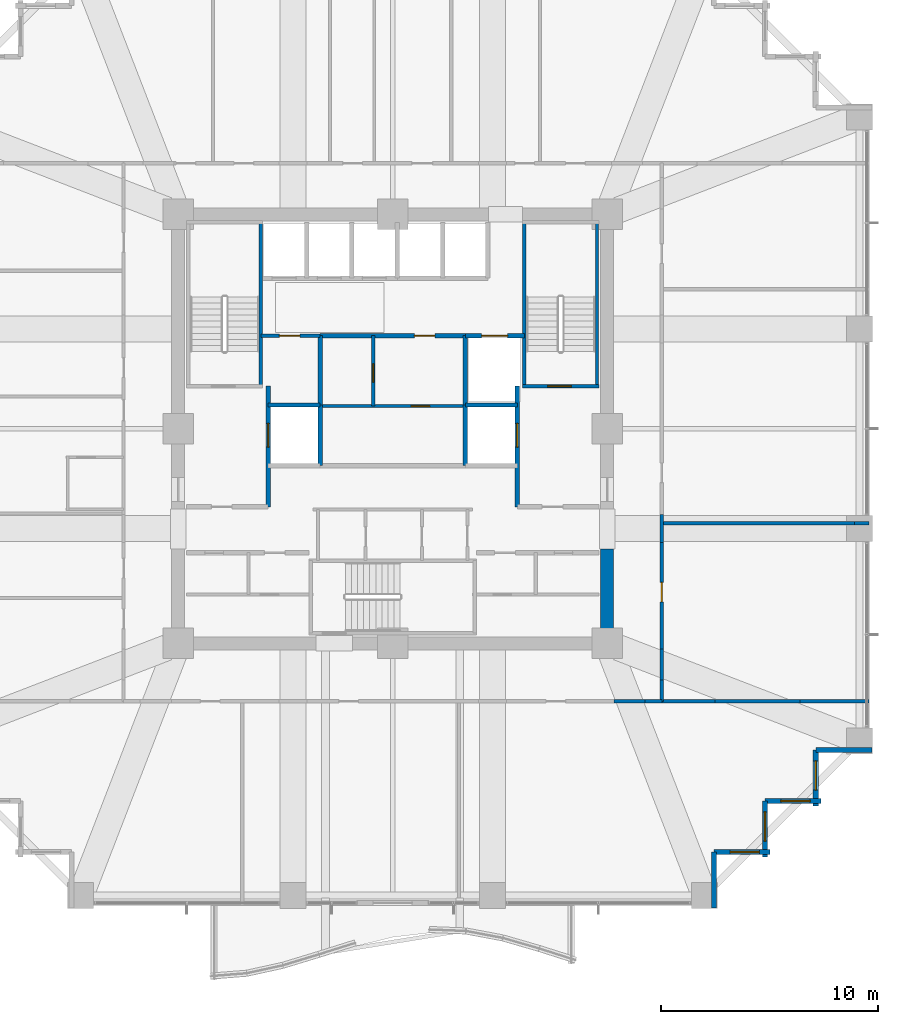
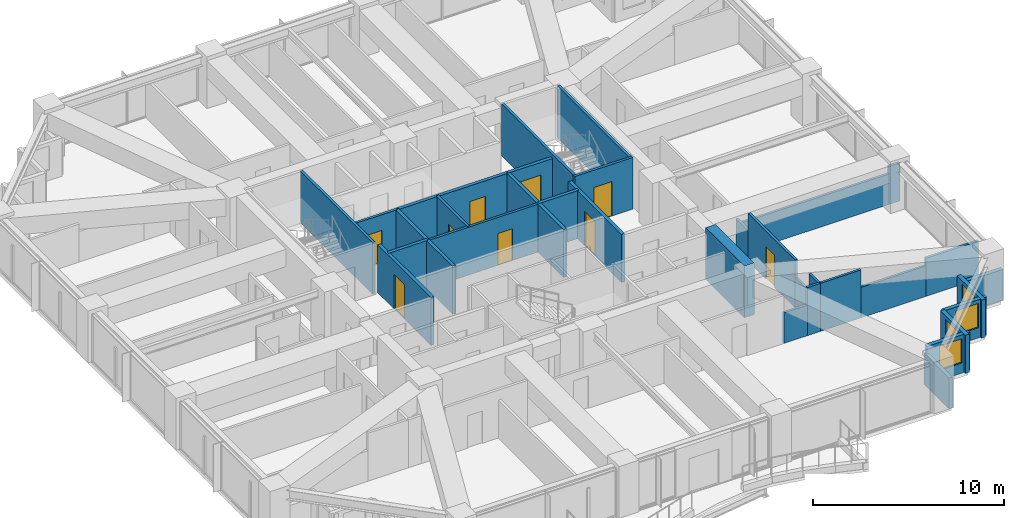
# One storey, part 34 of 37: 35 walls, 9 doors, 4 windows, 13 openings.
"""IFC4 building model written with IfcOpenShell, lengths in metres."""

from ifc_helpers import new_model, si_unit, direction, frame, frame_2d, origin, place, context, subcontext, project, spatial, rectangle, extrude, material, layer, layer_set, type_object, element, fill, save


model = new_model("IFC4")

# Units and contexts
model_context = context("Model", 3, precision=1e-05, world=origin(), true_north=direction((0.0, 1.0)))
body_context = subcontext(model_context, "Body", "Model", "MODEL_VIEW")
ifc_project = project(units=[si_unit("LENGTHUNIT", "METRE"), si_unit("AREAUNIT", "SQUARE_METRE"), si_unit("VOLUMEUNIT", "CUBIC_METRE"), si_unit("PLANEANGLEUNIT", "RADIAN"), si_unit("MASSUNIT", "GRAM", prefix="KILO")], contexts=[model_context])

# Site, building, storey
site_placement = place(None, origin())
site = spatial("IfcSite", under=ifc_project, at=site_placement, CompositionType="ELEMENT")
building_placement = place(site_placement, origin())
building = spatial("IfcBuilding", under=site, at=building_placement, Name="Kolvaren Belvedere", CompositionType="ELEMENT")
storey_placement = place(building_placement, frame((0.0, 0.0, 37.0)))
storey = spatial("IfcBuildingStorey", under=building, at=storey_placement, Name="L10", CompositionType="ELEMENT", Elevation=37.0)

# Walls
ifc_material_1 = material(Name="Concrete C60/75", Category="concrete")
ifc_layer_1 = layer(ifc_material_1, 0.60009765625)
ifc_layer_set_1 = layer_set([ifc_layer_1], Name="Concrete C60/75")
wall_type_1 = type_object("IfcWallType", Name="CW-CORE-600", PredefinedType="SHEAR", material=ifc_layer_set_1)
wall_1_placement = place(storey_placement, frame((9.89990234375, -9.60009765625, 0.0), z_axis=(0.0, 0.0, 1.0), x_axis=(0.0, 1.0, 0.0)))
element("IfcWall", 1, at=wall_1_placement, inside=storey, type_object=wall_type_1, Name="L10 East Core Shear Wall 1", PredefinedType="SHEAR", context=body_context, shape_type="SweptSolid", body=[
    extrude(rectangle(XDim=4.050048828125, YDim=0.60009765625, at=frame_2d((2.02490234375, 0.0))), origin(), (0.0, 0.0, 1.0), 3.300048828125),
])
ifc_material_2 = material(Name="Concrete C50/60", Category="concrete")
ifc_layer_2 = layer(ifc_material_2, 0.159912109375)
ifc_layer_set_2 = layer_set([ifc_layer_2], Name="Concrete C50/60")
wall_type_2 = type_object("IfcWallType", Name="CW-STAIR-160", PredefinedType="SHEAR", material=ifc_layer_set_2)
wall_2_placement = place(storey_placement, frame((-6.080078125, 1.969970703125, 0.0), z_axis=(0.0, 0.0, 1.0), x_axis=(0.0, 1.0, 0.0)))
element("IfcWall", 2, at=wall_2_placement, inside=storey, type_object=wall_type_2, Name="L10 Stair ST-1 East Shear Wall", PredefinedType="SHEAR", context=body_context, shape_type="SweptSolid", body=[
    extrude(rectangle(XDim=7.56005859375, YDim=0.159912109375, at=frame_2d((3.780029296875, 0.0))), origin(), (0.0, 0.0, 1.0), 3.300048828125),
])

# Wall, opening, door
wall_3_placement = place(storey_placement, frame((6.0, 1.969970703125, 0.0), z_axis=(0.0, 0.0, 1.0), x_axis=(1.0, 0.0, 0.0)))
wall_3 = element("IfcWall", 3, at=wall_3_placement, inside=storey, type_object=wall_type_2, Name="L10 Stair ST-2 South Shear Wall", PredefinedType="SHEAR", context=body_context, shape_type="SweptSolid", body=[
    extrude(rectangle(XDim=3.52001953125, YDim=0.159912109375, at=frame_2d((1.760009765625, 0.0))), origin(), (0.0, 0.0, 1.0), 3.300048828125),
])
opening_1_placement = place(wall_3_placement, frame((1.14990234375, 0.0, 0.0)))
opening_1 = element("IfcOpeningElement", 4, at=opening_1_placement, cuts=wall_3, Name="Opening D-FD90", PredefinedType="OPENING", context=body_context, shape_type="SweptSolid", body=[
    extrude(rectangle(XDim=1.10009765625, YDim=2.199951171875, at=frame_2d((0.550048828125, 1.10009765625))), frame((0.0, 0.08984375, 0.0), z_axis=(0.0, -1.0, 0.0), x_axis=(1.0, 0.0, 0.0)), (0.0, 0.0, 1.0), 0.179931640625),
])
ifc_material_3 = material(Name="Painted hollow stainless steel", Category="steel")
door_type_1 = type_object("IfcDoorType", Name="DR-FD90-1100", OperationType="NOTDEFINED", PredefinedType="DOOR", material=ifc_material_3)
door_1_placement = place(opening_1_placement, origin())
door_1 = element("IfcDoor", 5, at=door_1_placement, inside=storey, type_object=door_type_1, Name="L10 Stair ST-2 Fire Door", OperationType="SINGLE_SWING_RIGHT", OverallHeight=2.199951171875, OverallWidth=1.10009765625, PredefinedType="DOOR", context=body_context, shape_type="SweptSolid", body=[
    extrude(rectangle(XDim=1.10009765625, YDim=2.199951171875, at=frame_2d((0.550048828125, 1.10009765625))), frame((0.0, 0.02490234375, 0.0), z_axis=(0.0, -1.0, 0.0), x_axis=(1.0, 0.0, 0.0)), (0.0, 0.0, 1.0), 0.050048828125),
])
fill(opening_1, door_1)

# Walls
for number, where, z_axis, x_axis, name in (
    (6, (6.080078125, 1.969970703125, 0.0), (0.0, 0.0, 1.0), (0.0, 1.0, 0.0), "L10 Stair ST-2 West Shear Wall"),
    (7, (9.429931640625, 1.969970703125, 0.0), (0.0, 0.0, 1.0), (0.0, 1.0, 0.0), "L10 Stair ST-2 East Shear Wall"),
):
    element("IfcWall", number, at=place(storey_placement, frame(where, z_axis=z_axis, x_axis=x_axis)), inside=storey, type_object=wall_type_2, Name=name, PredefinedType="SHEAR", context=body_context, shape_type="SweptSolid", body=[
        extrude(rectangle(XDim=7.56005859375, YDim=0.159912109375, at=frame_2d((3.780029296875, 0.0))), origin(), (0.0, 0.0, 1.0), 3.300048828125),
    ])
ifc_material_4 = material(Name="Gypsum fire-rated partition assembly", Category="gypsum")
ifc_layer_3 = layer(ifc_material_4, 0.14990234375)
ifc_layer_set_3 = layer_set([ifc_layer_3], Name="Gypsum fire-rated partition assembly")
wall_type_3 = type_object("IfcWallType", Name="WL-CORR-150", PredefinedType="PARTITIONING", material=ifc_layer_set_3)
wall_4_placement = place(storey_placement, frame((10.215576171875, -12.580078125, 0.0), z_axis=(0.0, 0.0, 1.0), x_axis=(1.0, 0.0, 0.0)))
element("IfcWall", 8, at=wall_4_placement, inside=storey, type_object=wall_type_3, Name="L10 South Corridor Wall", PredefinedType="PARTITIONING", context=body_context, shape_type="SweptSolid", body=[
    extrude(rectangle(XDim=1.439208984375, YDim=0.14990234375, at=frame_2d((0.7197265625, 0.0))), origin(), (0.0, 0.0, 1.0), 1.945068359375),
])
wall_5_placement = place(storey_placement, frame((11.65478515625, -12.580078125, 0.0), z_axis=(0.0, 0.0, 1.0), x_axis=(1.0, 0.0, 0.0)))
element("IfcWall", 9, at=wall_5_placement, inside=storey, type_object=wall_type_3, Name="L10 South Corridor Wall", PredefinedType="PARTITIONING", context=body_context, shape_type="SweptSolid", body=[
    extrude(rectangle(XDim=0.76513671875, YDim=0.14990234375, at=frame_2d((0.382568359375, 0.0))), origin(), (0.0, 0.0, 1.0), 3.06005859375),
])
wall_6_placement = place(storey_placement, frame((12.419921875, -12.580078125, 0.0), z_axis=(0.0, 0.0, 1.0), x_axis=(0.0, 1.0, 0.0)))
element("IfcWall", 10, at=wall_6_placement, inside=storey, type_object=wall_type_3, Name="L10 East Corridor Wall", PredefinedType="PARTITIONING", context=body_context, shape_type="SweptSolid", body=[
    extrude(rectangle(XDim=0.987060546875, YDim=0.14990234375, at=frame_2d((0.49365234375, 0.0))), origin(), (0.0, 0.0, 1.0), 3.06005859375),
])
wall_7_placement = place(storey_placement, frame((12.419921875, -11.593017578125, 0.0), z_axis=(0.0, 0.0, 1.0), x_axis=(0.0, 1.0, 0.0)))
element("IfcWall", 11, at=wall_7_placement, inside=storey, type_object=wall_type_3, Name="L10 East Corridor Wall", PredefinedType="PARTITIONING", context=body_context, shape_type="SweptSolid", body=[
    extrude(rectangle(XDim=1.439208984375, YDim=0.14990234375, at=frame_2d((0.7197265625, 0.0))), origin(), (0.0, 0.0, 1.0), 1.945068359375),
])

# Wall, opening, door
wall_8_placement = place(storey_placement, frame((12.419921875, -10.15380859375, 0.0), z_axis=(0.0, 0.0, 1.0), x_axis=(0.0, 1.0, 0.0)))
wall_8 = element("IfcWall", 12, at=wall_8_placement, inside=storey, type_object=wall_type_3, Name="L10 East Corridor Wall", PredefinedType="PARTITIONING", context=body_context, shape_type="SweptSolid", body=[
    extrude(rectangle(XDim=4.911865234375, YDim=0.14990234375, at=frame_2d((2.4560546875, 0.0))), origin(), (0.0, 0.0, 1.0), 3.06005859375),
])
opening_2_placement = place(wall_8_placement, frame((2.168701171875, 0.0, 0.0)))
opening_2 = element("IfcOpeningElement", 13, at=opening_2_placement, cuts=wall_8, Name="Opening D-INT90", PredefinedType="OPENING", context=body_context, shape_type="SweptSolid", body=[
    extrude(rectangle(XDim=0.89990234375, YDim=2.06005859375, at=frame_2d((0.449951171875, 1.030029296875))), frame((0.0, 0.0849609375, 0.0), z_axis=(0.0, -1.0, 0.0), x_axis=(1.0, 0.0, 0.0)), (0.0, 0.0, 1.0), 0.169921875),
])
ifc_material_5 = material(Name="Stained Pacific white oak", Category="timber")
door_type_2 = type_object("IfcDoorType", Name="DR-INT-900", OperationType="NOTDEFINED", PredefinedType="DOOR", material=ifc_material_5)
door_2_placement = place(opening_2_placement, origin())
door_2 = element("IfcDoor", 14, at=door_2_placement, inside=storey, type_object=door_type_2, Name="L10 Private Hospitality Meeting Room 1004 Door", OperationType="SINGLE_SWING_LEFT", OverallHeight=2.06005859375, OverallWidth=0.89990234375, PredefinedType="DOOR", context=body_context, shape_type="SweptSolid", body=[
    extrude(rectangle(XDim=0.89990234375, YDim=2.06005859375, at=frame_2d((0.449951171875, 1.030029296875))), frame((0.0, 0.02490234375, 0.0), z_axis=(0.0, -1.0, 0.0), x_axis=(1.0, 0.0, 0.0)), (0.0, 0.0, 1.0), 0.050048828125),
])
fill(opening_2, door_2)

# Walls
wall_9_placement = place(storey_placement, frame((12.419921875, -5.241943359375, 0.0), z_axis=(0.0, 0.0, 1.0), x_axis=(0.0, 1.0, 0.0)))
element("IfcWall", 15, at=wall_9_placement, inside=storey, type_object=wall_type_3, Name="L10 East Corridor Wall", PredefinedType="PARTITIONING", context=body_context, shape_type="SweptSolid", body=[
    extrude(rectangle(XDim=1.283935546875, YDim=0.14990234375, at=frame_2d((0.64208984375, 0.0))), origin(), (0.0, 0.0, 1.0), 1.945068359375),
])
ifc_material_6 = material(Name="Insulated pale-metal facade wall assembly", Category="aluminium")
ifc_layer_4 = layer(ifc_material_6, 0.239990234375)
ifc_layer_set_4 = layer_set([ifc_layer_4], Name="Insulated pale-metal facade wall assembly")
wall_type_4 = type_object("IfcWallType", Name="WL-EXT-240", PredefinedType="STANDARD", material=ifc_layer_set_4)
wall_10_placement = place(storey_placement, frame((14.830078125, -19.530029296875, 0.0), z_axis=(0.0, 0.0, 1.0), x_axis=(0.0, -1.0, 0.0)))
element("IfcWall", 16, at=wall_10_placement, inside=storey, type_object=wall_type_4, Name="L10 Serrated Corner Facade Wall 2", PredefinedType="STANDARD", context=body_context, shape_type="SweptSolid", body=[
    extrude(rectangle(XDim=2.590087890625, YDim=0.239990234375, at=frame_2d((1.294921875, 0.0))), origin(), (0.0, 0.0, 1.0), 1.955078125),
])

# Wall, opening, window
wall_11_placement = place(storey_placement, frame((17.419921875, -19.530029296875, 0.0), z_axis=(0.0, 0.0, 1.0), x_axis=(-1.0, 0.0, 0.0)))
wall_11 = element("IfcWall", 17, at=wall_11_placement, inside=storey, type_object=wall_type_4, Name="L10 Serrated Corner Facade Wall 3", PredefinedType="STANDARD", context=body_context, shape_type="SweptSolid", body=[
    extrude(rectangle(XDim=2.58984375, YDim=0.239990234375, at=frame_2d((1.294921875, 0.0))), origin(), (0.0, 0.0, 1.0), 2.43896484375),
])
opening_3_placement = place(wall_11_placement, frame((0.5, 0.0, 0.64990234375)))
opening_3 = element("IfcOpeningElement", 18, at=opening_3_placement, cuts=wall_11, Name="Opening W-1350", PredefinedType="OPENING", context=body_context, shape_type="SweptSolid", body=[
    extrude(rectangle(XDim=1.35009765625, YDim=1.550048828125, at=frame_2d((0.675048828125, 0.77490234375))), frame((0.0, 0.1298828125, 0.0), z_axis=(0.0, -1.0, 0.0), x_axis=(1.0, 0.0, 0.0)), (0.0, 0.0, 1.0), 0.260009765625),
])
ifc_material_7 = material(Name="Low-iron triple insulated glass", Category="glass")
window_type = type_object("IfcWindowType", Name="WN-CORN-1350", PartitioningType="SINGLE_PANEL", PredefinedType="WINDOW", material=ifc_material_7)
window_1_placement = place(opening_3_placement, origin())
window_1 = element("IfcWindow", 19, at=window_1_placement, inside=storey, type_object=window_type, Name="L10 Serrated Corner Vision Window 3", OverallHeight=1.550048828125, OverallWidth=1.35009765625, PartitioningType="SINGLE_PANEL", PredefinedType="WINDOW", context=body_context, shape_type="SweptSolid", body=[
    extrude(rectangle(XDim=1.35009765625, YDim=1.550048828125, at=frame_2d((0.675048828125, 0.77490234375))), frame((0.0, 0.030029296875, 0.0), z_axis=(0.0, -1.0, 0.0), x_axis=(1.0, 0.0, 0.0)), (0.0, 0.0, 1.0), 0.06005859375),
])
fill(opening_3, window_1)

wall_12_placement = place(storey_placement, frame((17.179931640625, -17.179931640625, 0.0), z_axis=(0.0, 0.0, 1.0), x_axis=(0.0, -1.0, 0.0)))
wall_12 = element("IfcWall", 20, at=wall_12_placement, inside=storey, type_object=wall_type_4, Name="L10 Serrated Corner Facade Wall 4", PredefinedType="STANDARD", context=body_context, shape_type="SweptSolid", body=[
    extrude(rectangle(XDim=2.590087890625, YDim=0.239990234375, at=frame_2d((1.294921875, 0.0))), origin(), (0.0, 0.0, 1.0), 2.43896484375),
])
opening_4_placement = place(wall_12_placement, frame((0.5, 0.0, 0.64990234375)))
opening_4 = element("IfcOpeningElement", 21, at=opening_4_placement, cuts=wall_12, Name="Opening W-1350", PredefinedType="OPENING", context=body_context, shape_type="SweptSolid", body=[
    extrude(rectangle(XDim=1.35009765625, YDim=1.550048828125, at=frame_2d((0.675048828125, 0.77490234375))), frame((0.0, 0.1298828125, 0.0), z_axis=(0.0, -1.0, 0.0), x_axis=(1.0, 0.0, 0.0)), (0.0, 0.0, 1.0), 0.260009765625),
])
window_2_placement = place(opening_4_placement, origin())
window_2 = element("IfcWindow", 22, at=window_2_placement, inside=storey, type_object=window_type, Name="L10 Serrated Corner Vision Window 4", OverallHeight=1.550048828125, OverallWidth=1.35009765625, PartitioningType="SINGLE_PANEL", PredefinedType="WINDOW", context=body_context, shape_type="SweptSolid", body=[
    extrude(rectangle(XDim=1.35009765625, YDim=1.550048828125, at=frame_2d((0.675048828125, 0.77490234375))), frame((0.0, 0.030029296875, 0.0), z_axis=(0.0, -1.0, 0.0), x_axis=(1.0, 0.0, 0.0)), (0.0, 0.0, 1.0), 0.06005859375),
])
fill(opening_4, window_2)

wall_13_placement = place(storey_placement, frame((19.77001953125, -17.179931640625, 0.0), z_axis=(0.0, 0.0, 1.0), x_axis=(-1.0, 0.0, 0.0)))
wall_13 = element("IfcWall", 23, at=wall_13_placement, inside=storey, type_object=wall_type_4, Name="L10 Serrated Corner Facade Wall 5", PredefinedType="STANDARD", context=body_context, shape_type="SweptSolid", body=[
    extrude(rectangle(XDim=2.590087890625, YDim=0.239990234375, at=frame_2d((1.294921875, 0.0))), origin(), (0.0, 0.0, 1.0), 2.43896484375),
])
opening_5_placement = place(wall_13_placement, frame((0.5, 0.0, 0.64990234375)))
opening_5 = element("IfcOpeningElement", 24, at=opening_5_placement, cuts=wall_13, Name="Opening W-1350", PredefinedType="OPENING", context=body_context, shape_type="SweptSolid", body=[
    extrude(rectangle(XDim=1.35009765625, YDim=1.550048828125, at=frame_2d((0.675048828125, 0.77490234375))), frame((0.0, 0.1298828125, 0.0), z_axis=(0.0, -1.0, 0.0), x_axis=(1.0, 0.0, 0.0)), (0.0, 0.0, 1.0), 0.260009765625),
])
window_3_placement = place(opening_5_placement, origin())
window_3 = element("IfcWindow", 25, at=window_3_placement, inside=storey, type_object=window_type, Name="L10 Serrated Corner Vision Window 5", OverallHeight=1.550048828125, OverallWidth=1.35009765625, PartitioningType="SINGLE_PANEL", PredefinedType="WINDOW", context=body_context, shape_type="SweptSolid", body=[
    extrude(rectangle(XDim=1.35009765625, YDim=1.550048828125, at=frame_2d((0.675048828125, 0.77490234375))), frame((0.0, 0.030029296875, 0.0), z_axis=(0.0, -1.0, 0.0), x_axis=(1.0, 0.0, 0.0)), (0.0, 0.0, 1.0), 0.06005859375),
])
fill(opening_5, window_3)

wall_14_placement = place(storey_placement, frame((19.530029296875, -14.830078125, 0.0), z_axis=(0.0, 0.0, 1.0), x_axis=(0.0, -1.0, 0.0)))
wall_14 = element("IfcWall", 26, at=wall_14_placement, inside=storey, type_object=wall_type_4, Name="L10 Serrated Corner Facade Wall 6", PredefinedType="STANDARD", context=body_context, shape_type="SweptSolid", body=[
    extrude(rectangle(XDim=2.58984375, YDim=0.239990234375, at=frame_2d((1.294921875, 0.0))), origin(), (0.0, 0.0, 1.0), 2.43896484375),
])
opening_6_placement = place(wall_14_placement, frame((0.5, 0.0, 0.64990234375)))
opening_6 = element("IfcOpeningElement", 27, at=opening_6_placement, cuts=wall_14, Name="Opening W-1350", PredefinedType="OPENING", context=body_context, shape_type="SweptSolid", body=[
    extrude(rectangle(XDim=1.35009765625, YDim=1.550048828125, at=frame_2d((0.675048828125, 0.77490234375))), frame((0.0, 0.1298828125, 0.0), z_axis=(0.0, -1.0, 0.0), x_axis=(1.0, 0.0, 0.0)), (0.0, 0.0, 1.0), 0.260009765625),
])
window_4_placement = place(opening_6_placement, origin())
window_4 = element("IfcWindow", 28, at=window_4_placement, inside=storey, type_object=window_type, Name="L10 Serrated Corner Vision Window 6", OverallHeight=1.550048828125, OverallWidth=1.35009765625, PartitioningType="SINGLE_PANEL", PredefinedType="WINDOW", context=body_context, shape_type="SweptSolid", body=[
    extrude(rectangle(XDim=1.35009765625, YDim=1.550048828125, at=frame_2d((0.675048828125, 0.77490234375))), frame((0.0, 0.030029296875, 0.0), z_axis=(0.0, -1.0, 0.0), x_axis=(1.0, 0.0, 0.0)), (0.0, 0.0, 1.0), 0.06005859375),
])
fill(opening_6, window_4)

# Wall
wall_15_placement = place(storey_placement, frame((22.1201171875, -14.830078125, 0.0), z_axis=(0.0, 0.0, 1.0), x_axis=(-1.0, 0.0, 0.0)))
element("IfcWall", 29, at=wall_15_placement, inside=storey, type_object=wall_type_4, Name="L10 Serrated Corner Facade Wall 7", PredefinedType="STANDARD", context=body_context, shape_type="SweptSolid", body=[
    extrude(rectangle(XDim=2.590087890625, YDim=0.239990234375, at=frame_2d((1.294921875, 0.0))), origin(), (0.0, 0.0, 1.0), 1.955078125),
])

# Wall, opening, door
ifc_material_8 = material(Name="Gypsum acoustic partition assembly", Category="gypsum")
ifc_layer_5 = layer(ifc_material_8, 0.14990234375)
ifc_layer_set_5 = layer_set([ifc_layer_5], Name="Gypsum acoustic partition assembly")
wall_type_5 = type_object("IfcWallType", Name="WL-PART-150", PredefinedType="PARTITIONING", material=ifc_layer_set_5)
wall_16_placement = place(storey_placement, frame((-3.35009765625, 1.050048828125, 0.0), z_axis=(0.0, 0.0, 1.0), x_axis=(1.0, 0.0, 0.0)))
wall_16 = element("IfcWall", 30, at=wall_16_placement, inside=storey, type_object=wall_type_5, Name="L10 Central Core H-Divider", PredefinedType="PARTITIONING", context=body_context, shape_type="SweptSolid", body=[
    extrude(rectangle(XDim=6.7001953125, YDim=0.14990234375, at=frame_2d((3.35009765625, 0.0))), origin(), (0.0, 0.0, 1.0), 3.06005859375),
])
opening_7_placement = place(wall_16_placement, frame((4.199951171875, 0.0, 0.0)))
opening_7 = element("IfcOpeningElement", 31, at=opening_7_placement, cuts=wall_16, Name="Opening D-INT85", PredefinedType="OPENING", context=body_context, shape_type="SweptSolid", body=[
    extrude(rectangle(XDim=0.85009765625, YDim=2.030029296875, at=frame_2d((0.425048828125, 1.01513671875))), frame((0.0, 0.0849609375, 0.0), z_axis=(0.0, -1.0, 0.0), x_axis=(1.0, 0.0, 0.0)), (0.0, 0.0, 1.0), 0.169921875),
])
ifc_material_9 = material(Name="Stained Pacific white oak", Category="timber")
door_type_3 = type_object("IfcDoorType", Name="DR-INT-850", OperationType="NOTDEFINED", PredefinedType="DOOR", material=ifc_material_9)
door_3_placement = place(opening_7_placement, origin())
door_3 = element("IfcDoor", 32, at=door_3_placement, inside=storey, type_object=door_type_3, Name="L10 Central Metering Door", OperationType="SINGLE_SWING_LEFT", OverallHeight=2.030029296875, OverallWidth=0.85009765625, PredefinedType="DOOR", context=body_context, shape_type="SweptSolid", body=[
    extrude(rectangle(XDim=0.85009765625, YDim=2.030029296875, at=frame_2d((0.425048828125, 1.01513671875))), frame((0.0, 0.02490234375, 0.0), z_axis=(0.0, -1.0, 0.0), x_axis=(1.0, 0.0, 0.0)), (0.0, 0.0, 1.0), 0.050048828125),
])
fill(opening_7, door_3)

wall_17_placement = place(storey_placement, frame((-0.89990234375, 1.050048828125, 0.0), z_axis=(0.0, 0.0, 1.0), x_axis=(0.0, 1.0, 0.0)))
wall_17 = element("IfcWall", 33, at=wall_17_placement, inside=storey, type_object=wall_type_5, Name="L10 Central Core V-Divider", PredefinedType="PARTITIONING", context=body_context, shape_type="SweptSolid", body=[
    extrude(rectangle(XDim=3.25, YDim=0.14990234375, at=frame_2d((1.625, 0.0))), origin(), (0.0, 0.0, 1.0), 3.06005859375),
])
opening_8_placement = place(wall_17_placement, frame((1.10009765625, 0.0, 0.0)))
opening_8 = element("IfcOpeningElement", 34, at=opening_8_placement, cuts=wall_17, Name="Opening D-INT85", PredefinedType="OPENING", context=body_context, shape_type="SweptSolid", body=[
    extrude(rectangle(XDim=0.85009765625, YDim=2.030029296875, at=frame_2d((0.425048828125, 1.01513671875))), frame((0.0, 0.0849609375, 0.0), z_axis=(0.0, -1.0, 0.0), x_axis=(1.0, 0.0, 0.0)), (0.0, 0.0, 1.0), 0.169921875),
])
door_4_placement = place(opening_8_placement, origin())
door_4 = element("IfcDoor", 35, at=door_4_placement, inside=storey, type_object=door_type_3, Name="L10 Central Telecom Door", OperationType="SINGLE_SWING_RIGHT", OverallHeight=2.030029296875, OverallWidth=0.85009765625, PredefinedType="DOOR", context=body_context, shape_type="SweptSolid", body=[
    extrude(rectangle(XDim=0.85009765625, YDim=2.030029296875, at=frame_2d((0.425048828125, 1.01513671875))), frame((0.0, 0.02490234375, 0.0), z_axis=(0.0, -1.0, 0.0), x_axis=(1.0, 0.0, 0.0)), (0.0, 0.0, 1.0), 0.050048828125),
])
fill(opening_8, door_4)

wall_18_placement = place(storey_placement, frame((-6.080078125, 4.300048828125, 0.0), z_axis=(0.0, 0.0, 1.0), x_axis=(1.0, 0.0, 0.0)))
wall_18 = element("IfcWall", 36, at=wall_18_placement, inside=storey, type_object=wall_type_5, Name="L10 NW Service Room North Wall", PredefinedType="PARTITIONING", context=body_context, shape_type="SweptSolid", body=[
    extrude(rectangle(XDim=2.72998046875, YDim=0.14990234375, at=frame_2d((1.364990234375, 0.0))), origin(), (0.0, 0.0, 1.0), 3.06005859375),
])
opening_9_placement = place(wall_18_placement, frame((0.85009765625, 0.0, 0.0)))
opening_9 = element("IfcOpeningElement", 37, at=opening_9_placement, cuts=wall_18, Name="Opening D-FD60", PredefinedType="OPENING", context=body_context, shape_type="SweptSolid", body=[
    extrude(rectangle(XDim=0.949951171875, YDim=2.06005859375, at=frame_2d((0.47509765625, 1.030029296875))), frame((0.0, 0.0849609375, 0.0), z_axis=(0.0, -1.0, 0.0), x_axis=(1.0, 0.0, 0.0)), (0.0, 0.0, 1.0), 0.169921875),
])
ifc_material_10 = material(Name="Acoustic white-oak fire door leaf", Category="timber")
door_type_4 = type_object("IfcDoorType", Name="DR-FD60-950", OperationType="NOTDEFINED", PredefinedType="DOOR", material=ifc_material_10)
door_5_placement = place(opening_9_placement, origin())
door_5 = element("IfcDoor", 38, at=door_5_placement, inside=storey, type_object=door_type_4, Name="L10 NW Core Store Door", OperationType="SINGLE_SWING_RIGHT", OverallHeight=2.06005859375, OverallWidth=0.949951171875, PredefinedType="DOOR", context=body_context, shape_type="SweptSolid", body=[
    extrude(rectangle(XDim=0.949951171875, YDim=2.06005859375, at=frame_2d((0.47509765625, 1.030029296875))), frame((0.0, 0.02490234375, 0.0), z_axis=(0.0, -1.0, 0.0), x_axis=(1.0, 0.0, 0.0)), (0.0, 0.0, 1.0), 0.050048828125),
])
fill(opening_9, door_5)

# Walls
wall_19_placement = place(storey_placement, frame((12.419921875, -12.580078125, 0.0), z_axis=(0.0, 0.0, 1.0), x_axis=(1.0, 0.0, 0.0)))
element("IfcWall", 39, at=wall_19_placement, inside=storey, type_object=wall_type_5, Name="L10 Wing Divider PW-L10-QSE", PredefinedType="PARTITIONING", context=body_context, shape_type="SweptSolid", body=[
    extrude(rectangle(XDim=2.464599609375, YDim=0.14990234375, at=frame_2d((1.232421875, 0.0))), origin(), (0.0, 0.0, 1.0), 3.06005859375),
])
wall_20_placement = place(storey_placement, frame((14.884521484375, -12.580078125, 0.0), z_axis=(0.0, 0.0, 1.0), x_axis=(1.0, 0.0, 0.0)))
element("IfcWall", 40, at=wall_20_placement, inside=storey, type_object=wall_type_5, Name="L10 Wing Divider PW-L10-QSE", PredefinedType="PARTITIONING", context=body_context, shape_type="SweptSolid", body=[
    extrude(rectangle(XDim=3.907470703125, YDim=0.14990234375, at=frame_2d((1.95361328125, 0.0))), origin(), (0.0, 0.0, 1.0), 1.945068359375),
])
wall_21_placement = place(storey_placement, frame((18.7919921875, -12.580078125, 0.0), z_axis=(0.0, 0.0, 1.0), x_axis=(1.0, 0.0, 0.0)))
element("IfcWall", 41, at=wall_21_placement, inside=storey, type_object=wall_type_5, Name="L10 Wing Divider PW-L10-QSE", PredefinedType="PARTITIONING", context=body_context, shape_type="SweptSolid", body=[
    extrude(rectangle(XDim=3.18798828125, YDim=0.14990234375, at=frame_2d((1.593994140625, 0.0))), origin(), (0.0, 0.0, 1.0), 2.428955078125),
])
wall_22_placement = place(storey_placement, frame((12.419921875, -4.360107421875, 0.0), z_axis=(0.0, 0.0, 1.0), x_axis=(1.0, 0.0, 0.0)))
element("IfcWall", 42, at=wall_22_placement, inside=storey, type_object=wall_type_5, Name="L10 East Suite Demising Wall 1", PredefinedType="PARTITIONING", context=body_context, shape_type="SweptSolid", body=[
    extrude(rectangle(XDim=8.89013671875, YDim=0.14990234375, at=frame_2d((4.445068359375, 0.0))), origin(), (0.0, 0.0, 1.0), 1.945068359375),
])
wall_23_placement = place(storey_placement, frame((21.31005859375, -4.360107421875, 0.0), z_axis=(0.0, 0.0, 1.0), x_axis=(1.0, 0.0, 0.0)))
element("IfcWall", 43, at=wall_23_placement, inside=storey, type_object=wall_type_5, Name="L10 East Suite Demising Wall 1", PredefinedType="PARTITIONING", context=body_context, shape_type="SweptSolid", body=[
    extrude(rectangle(XDim=0.669921875, YDim=0.14990234375, at=frame_2d((0.3349609375, 0.0))), origin(), (0.0, 0.0, 1.0), 2.428955078125),
])

# Wall, opening, door
ifc_material_11 = material(Name="Concrete C50/60", Category="concrete")
ifc_layer_6 = layer(ifc_material_11, 0.199951171875)
ifc_layer_set_6 = layer_set([ifc_layer_6], Name="Concrete C50/60")
wall_type_6 = type_object("IfcWallType", Name="WL-SHAFT-200", PredefinedType="SOLIDWALL", material=ifc_layer_set_6)
wall_24_placement = place(storey_placement, frame((-5.75, -3.60009765625, 0.0), z_axis=(0.0, 0.0, 1.0), x_axis=(0.0, 1.0, 0.0)))
wall_24 = element("IfcWall", 44, at=wall_24_placement, inside=storey, type_object=wall_type_6, Name="L10 FSAE FS1 Landing Wall", PredefinedType="SOLIDWALL", context=body_context, shape_type="SweptSolid", body=[
    extrude(rectangle(XDim=5.570068359375, YDim=0.199951171875, at=frame_2d((2.78515625, 0.0))), origin(), (0.0, 0.0, 1.0), 3.06005859375),
])
opening_10_placement = place(wall_24_placement, frame((2.75, 0.0, 0.0)))
opening_10 = element("IfcOpeningElement", 45, at=opening_10_placement, cuts=wall_24, Name="Opening LD-11", PredefinedType="OPENING", context=body_context, shape_type="SweptSolid", body=[
    extrude(rectangle(XDim=1.10009765625, YDim=2.199951171875, at=frame_2d((0.550048828125, 1.10009765625))), frame((0.0, 0.10986328125, 0.0), z_axis=(0.0, -1.0, 0.0), x_axis=(1.0, 0.0, 0.0)), (0.0, 0.0, 1.0), 0.219970703125),
])
ifc_material_12 = material(Name="Brushed stainless steel", Category="steel")
door_type_5 = type_object("IfcDoorType", Name="DR-LIFT-1100", OperationType="DOUBLE_DOOR_SLIDING", PredefinedType="DOOR", material=ifc_material_12)
door_6_placement = place(opening_10_placement, origin())
door_6 = element("IfcDoor", 46, at=door_6_placement, inside=storey, type_object=door_type_5, Name="L10 Firefighting Lift FS1 Landing Door", OperationType="DOUBLE_DOOR_SLIDING", OverallHeight=2.199951171875, OverallWidth=1.10009765625, PredefinedType="DOOR", context=body_context, shape_type="SweptSolid", body=[
    extrude(rectangle(XDim=1.10009765625, YDim=2.199951171875, at=frame_2d((0.550048828125, 1.10009765625))), frame((0.0, 0.02490234375, 0.0), z_axis=(0.0, -1.0, 0.0), x_axis=(1.0, 0.0, 0.0)), (0.0, 0.0, 1.0), 0.050048828125),
])
fill(opening_10, door_6)

# Walls
wall_25_placement = place(storey_placement, frame((-3.35009765625, -1.699951171875, 0.0), z_axis=(0.0, 0.0, 1.0), x_axis=(0.0, 1.0, 0.0)))
element("IfcWall", 47, at=wall_25_placement, inside=storey, type_object=wall_type_6, Name="L10 FSAE FS1 Back Wall", PredefinedType="SOLIDWALL", context=body_context, shape_type="SweptSolid", body=[
    extrude(rectangle(XDim=2.800048828125, YDim=0.199951171875, at=frame_2d((1.39990234375, 0.0))), origin(), (0.0, 0.0, 1.0), 3.06005859375),
])
wall_26_placement = place(storey_placement, frame((-5.75, 1.10009765625, 0.0), z_axis=(0.0, 0.0, 1.0), x_axis=(1.0, 0.0, 0.0)))
element("IfcWall", 48, at=wall_26_placement, inside=storey, type_object=wall_type_6, Name="L10 FSAE FS1 North Wall", PredefinedType="SOLIDWALL", context=body_context, shape_type="SweptSolid", body=[
    extrude(rectangle(XDim=2.39990234375, YDim=0.199951171875, at=frame_2d((1.199951171875, 0.0))), origin(), (0.0, 0.0, 1.0), 3.06005859375),
])

# Wall, opening, door
wall_27_placement = place(storey_placement, frame((5.75, -3.60009765625, 0.0), z_axis=(0.0, 0.0, 1.0), x_axis=(0.0, 1.0, 0.0)))
wall_27 = element("IfcWall", 49, at=wall_27_placement, inside=storey, type_object=wall_type_6, Name="L10 FSAE FS2 Landing Wall", PredefinedType="SOLIDWALL", context=body_context, shape_type="SweptSolid", body=[
    extrude(rectangle(XDim=5.570068359375, YDim=0.199951171875, at=frame_2d((2.78515625, 0.0))), origin(), (0.0, 0.0, 1.0), 3.06005859375),
])
opening_11_placement = place(wall_27_placement, frame((2.75, 0.0, 0.0)))
opening_11 = element("IfcOpeningElement", 50, at=opening_11_placement, cuts=wall_27, Name="Opening LD-11", PredefinedType="OPENING", context=body_context, shape_type="SweptSolid", body=[
    extrude(rectangle(XDim=1.10009765625, YDim=2.199951171875, at=frame_2d((0.550048828125, 1.10009765625))), frame((0.0, 0.10986328125, 0.0), z_axis=(0.0, -1.0, 0.0), x_axis=(1.0, 0.0, 0.0)), (0.0, 0.0, 1.0), 0.219970703125),
])
door_7_placement = place(opening_11_placement, origin())
door_7 = element("IfcDoor", 51, at=door_7_placement, inside=storey, type_object=door_type_5, Name="L10 Firefighting Lift FS2 Landing Door", OperationType="DOUBLE_DOOR_SLIDING", OverallHeight=2.199951171875, OverallWidth=1.10009765625, PredefinedType="DOOR", context=body_context, shape_type="SweptSolid", body=[
    extrude(rectangle(XDim=1.10009765625, YDim=2.199951171875, at=frame_2d((0.550048828125, 1.10009765625))), frame((0.0, 0.02490234375, 0.0), z_axis=(0.0, -1.0, 0.0), x_axis=(1.0, 0.0, 0.0)), (0.0, 0.0, 1.0), 0.050048828125),
])
fill(opening_11, door_7)

# Walls
wall_28_placement = place(storey_placement, frame((3.35009765625, -1.699951171875, 0.0), z_axis=(0.0, 0.0, 1.0), x_axis=(0.0, 1.0, 0.0)))
element("IfcWall", 52, at=wall_28_placement, inside=storey, type_object=wall_type_6, Name="L10 FSAE FS2 Back Wall", PredefinedType="SOLIDWALL", context=body_context, shape_type="SweptSolid", body=[
    extrude(rectangle(XDim=2.800048828125, YDim=0.199951171875, at=frame_2d((1.39990234375, 0.0))), origin(), (0.0, 0.0, 1.0), 3.06005859375),
])
wall_29_placement = place(storey_placement, frame((3.35009765625, 1.10009765625, 0.0), z_axis=(0.0, 0.0, 1.0), x_axis=(1.0, 0.0, 0.0)))
element("IfcWall", 53, at=wall_29_placement, inside=storey, type_object=wall_type_6, Name="L10 FSAE FS2 North Wall", PredefinedType="SOLIDWALL", context=body_context, shape_type="SweptSolid", body=[
    extrude(rectangle(XDim=2.39990234375, YDim=0.199951171875, at=frame_2d((1.199951171875, 0.0))), origin(), (0.0, 0.0, 1.0), 3.06005859375),
])

# Wall, opening, door
wall_30_placement = place(storey_placement, frame((3.35009765625, 4.300048828125, 0.0), z_axis=(0.0, 0.0, 1.0), x_axis=(1.0, 0.0, 0.0)))
wall_30 = element("IfcWall", 54, at=wall_30_placement, inside=storey, type_object=wall_type_6, Name="L10 Service Lift SV1 Front Wall", PredefinedType="SOLIDWALL", context=body_context, shape_type="SweptSolid", body=[
    extrude(rectangle(XDim=2.72998046875, YDim=0.199951171875, at=frame_2d((1.364990234375, 0.0))), origin(), (0.0, 0.0, 1.0), 3.06005859375),
])
opening_12_placement = place(wall_30_placement, frame((0.75, 0.0, 0.0)))
opening_12 = element("IfcOpeningElement", 55, at=opening_12_placement, cuts=wall_30, Name="Opening LD-12", PredefinedType="OPENING", context=body_context, shape_type="SweptSolid", body=[
    extrude(rectangle(XDim=1.199951171875, YDim=2.25, at=frame_2d((0.60009765625, 1.125))), frame((0.0, 0.10986328125, 0.0), z_axis=(0.0, -1.0, 0.0), x_axis=(1.0, 0.0, 0.0)), (0.0, 0.0, 1.0), 0.219970703125),
])
ifc_material_13 = material(Name="Brushed stainless steel", Category="steel")
door_type_6 = type_object("IfcDoorType", Name="DR-LIFT-1200", OperationType="DOUBLE_DOOR_SLIDING", PredefinedType="DOOR", material=ifc_material_13)
door_8_placement = place(opening_12_placement, origin())
door_8 = element("IfcDoor", 56, at=door_8_placement, inside=storey, type_object=door_type_6, Name="L10 Service Lift SV1 Landing Door", OperationType="DOUBLE_DOOR_SLIDING", OverallHeight=2.25, OverallWidth=1.199951171875, PredefinedType="DOOR", context=body_context, shape_type="SweptSolid", body=[
    extrude(rectangle(XDim=1.199951171875, YDim=2.25, at=frame_2d((0.60009765625, 1.125))), frame((0.0, 0.02490234375, 0.0), z_axis=(0.0, -1.0, 0.0), x_axis=(1.0, 0.0, 0.0)), (0.0, 0.0, 1.0), 0.050048828125),
])
fill(opening_12, door_8)

wall_31_placement = place(storey_placement, frame((-3.35009765625, 4.300048828125, 0.0), z_axis=(0.0, 0.0, 1.0), x_axis=(1.0, 0.0, 0.0)))
wall_31 = element("IfcWall", 57, at=wall_31_placement, inside=storey, type_object=wall_type_6, Name="L10 Central Core Room North Wall", PredefinedType="SOLIDWALL", context=body_context, shape_type="SweptSolid", body=[
    extrude(rectangle(XDim=6.7001953125, YDim=0.199951171875, at=frame_2d((3.35009765625, 0.0))), origin(), (0.0, 0.0, 1.0), 3.06005859375),
])
opening_13_placement = place(wall_31_placement, frame((4.35009765625, 0.0, 0.0)))
opening_13 = element("IfcOpeningElement", 58, at=opening_13_placement, cuts=wall_31, Name="Opening D-FD60", PredefinedType="OPENING", context=body_context, shape_type="SweptSolid", body=[
    extrude(rectangle(XDim=0.949951171875, YDim=2.06005859375, at=frame_2d((0.47509765625, 1.030029296875))), frame((0.0, 0.10986328125, 0.0), z_axis=(0.0, -1.0, 0.0), x_axis=(1.0, 0.0, 0.0)), (0.0, 0.0, 1.0), 0.219970703125),
])
door_9_placement = place(opening_13_placement, origin())
door_9 = element("IfcDoor", 59, at=door_9_placement, inside=storey, type_object=door_type_4, Name="L10 Central Core Controls Door", OperationType="SINGLE_SWING_LEFT", OverallHeight=2.06005859375, OverallWidth=0.949951171875, PredefinedType="DOOR", context=body_context, shape_type="SweptSolid", body=[
    extrude(rectangle(XDim=0.949951171875, YDim=2.06005859375, at=frame_2d((0.47509765625, 1.030029296875))), frame((0.0, 0.02490234375, 0.0), z_axis=(0.0, -1.0, 0.0), x_axis=(1.0, 0.0, 0.0)), (0.0, 0.0, 1.0), 0.050048828125),
])
fill(opening_13, door_9)

# Walls
for number, where, z_axis, x_axis, name in (
    (60, (-3.35009765625, 1.10009765625, 0.0), (0.0, 0.0, 1.0), (0.0, 1.0, 0.0), "L10 Central Core Room West Wall"),
    (61, (3.35009765625, 1.10009765625, 0.0), (0.0, 0.0, 1.0), (0.0, 1.0, 0.0), "L10 Central Core Room East Wall"),
):
    element("IfcWall", number, at=place(storey_placement, frame(where, z_axis=z_axis, x_axis=x_axis)), inside=storey, type_object=wall_type_6, Name=name, PredefinedType="SOLIDWALL", context=body_context, shape_type="SweptSolid", body=[
        extrude(rectangle(XDim=3.199951171875, YDim=0.199951171875, at=frame_2d((1.60009765625, 0.0))), origin(), (0.0, 0.0, 1.0), 3.06005859375),
    ])

save(model, "model.ifc")
